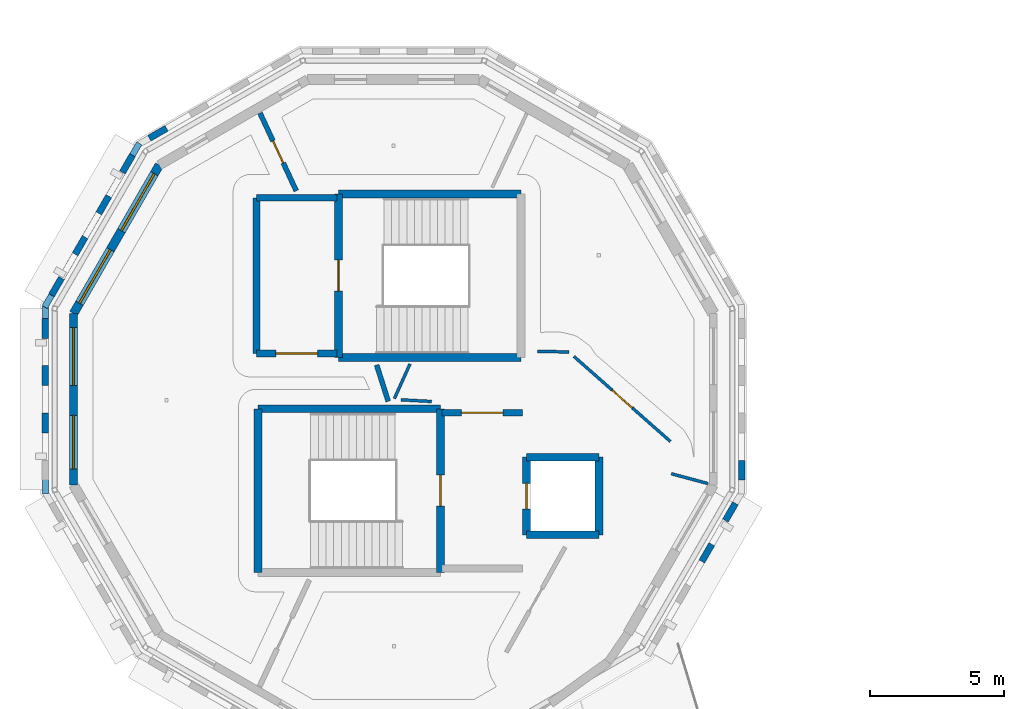
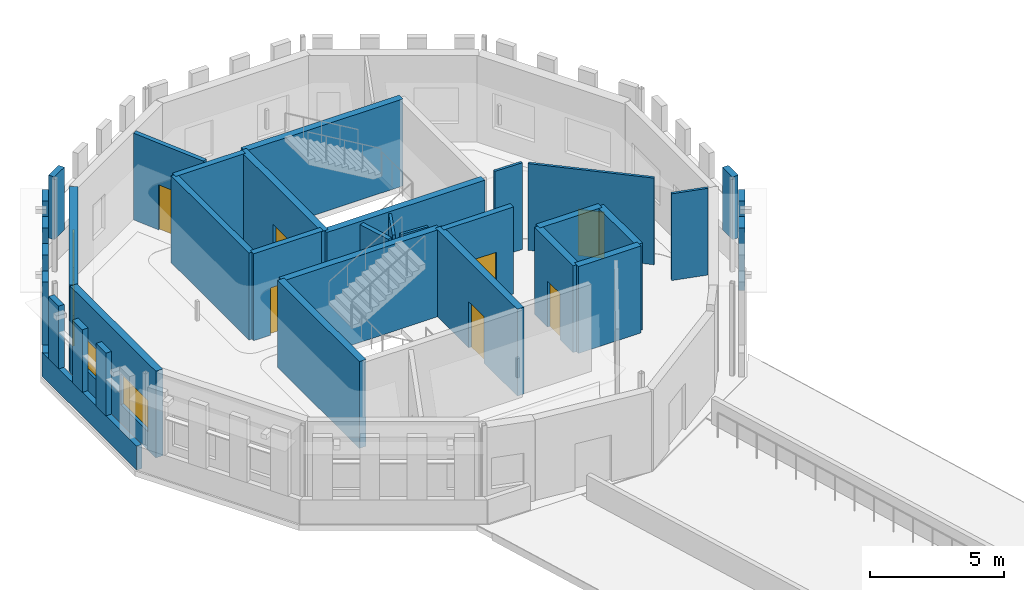
# One storey, part 39 of 68: 36 walls, 7 doors, 4 windows, 11 openings.
"""IFC4 building model written with IfcOpenShell, lengths in metres."""

from ifc_helpers import new_model, si_unit, direction, frame, frame_2d, origin, place, context, subcontext, project, spatial, rectangle, extrude, material, layer, layer_set, type_object, element, fill, save


model = new_model("IFC4")

# Units and contexts
model_context = context("Model", 3, precision=1e-05, world=origin(), true_north=direction((0.0, 1.0)))
body_context = subcontext(model_context, "Body", "Model", "MODEL_VIEW")
ifc_project = project(units=[si_unit("LENGTHUNIT", "METRE"), si_unit("AREAUNIT", "SQUARE_METRE"), si_unit("VOLUMEUNIT", "CUBIC_METRE"), si_unit("PLANEANGLEUNIT", "RADIAN"), si_unit("MASSUNIT", "GRAM", prefix="KILO")], contexts=[model_context])

# Site, building, storey
site_placement = place(None, origin())
site = spatial("IfcSite", under=ifc_project, at=site_placement, CompositionType="ELEMENT")
building_placement = place(site_placement, origin())
building = spatial("IfcBuilding", under=site, at=building_placement, Name="Wrenclough Park School", CompositionType="ELEMENT")
storey_placement = place(building_placement, frame((0.0, 0.0, 12.60009765625)))
storey = spatial("IfcBuildingStorey", under=building, at=storey_placement, Name="L03", CompositionType="ELEMENT", Elevation=12.60009765625)

# Walls
ifc_material_1 = material(Name="Perforated open-bond Staffordshire and Manchester brick screen pier", Category="masonry")
ifc_layer_1 = layer(ifc_material_1, 0.2451171875)
ifc_layer_set_1 = layer_set([ifc_layer_1], Name="Perforated open-bond Staffordshire and Manchester brick screen pier")
wall_type_1 = type_object("IfcWallType", Name="ENV-BS-PR245", PredefinedType="ELEMENTEDWALL", material=ifc_layer_set_1)
for number, where, z_axis, x_axis, name in (
    (1, (8.055419921875, 99.58544921875, 1.08984375), (0.0, 0.0, 1.0), (-0.866141586746, -0.499798711192, 0.0), "D3 L03 perforated brick screen pier 0774"),
    (2, (6.783935546875, 98.584716796875, 1.08984375), (0.0, 0.0, 1.0), (-0.499798711192, -0.866141586746, 0.0), "D3 L03 perforated brick screen pier 0775"),
    (3, (5.904052734375, 97.060302734375, 1.08984375), (0.0, 0.0, 1.0), (-0.500189527592, -0.865915952323, 0.0), "D3 L03 perforated brick screen pier 0776"),
):
    element("IfcWall", number, at=place(storey_placement, frame(where, z_axis=z_axis, x_axis=x_axis)), inside=storey, type_object=wall_type_1, Name=name, PredefinedType="ELEMENTEDWALL", context=body_context, shape_type="SweptSolid", body=[
        extrude(rectangle(XDim=0.739013671875, YDim=0.2451171875, at=frame_2d((0.36962890625, 0.0))), origin(), (0.0, 0.0, 1.0), 2.85009765625),
    ])
wall_1_placement = place(storey_placement, frame((5.02392578125, 95.5361328125, 1.08984375), z_axis=(0.0, 0.0, 1.0), x_axis=(-0.499941746681, -0.866059033742, 0.0)))
element("IfcWall", 4, at=wall_1_placement, inside=storey, type_object=wall_type_1, Name="D3 L03 perforated brick screen pier 0777", PredefinedType="ELEMENTEDWALL", context=body_context, shape_type="SweptSolid", body=[
    extrude(rectangle(XDim=0.73876953125, YDim=0.2451171875, at=frame_2d((0.369384765625, 0.0))), origin(), (0.0, 0.0, 1.0), 2.85009765625),
])
for number, where, z_axis, x_axis, name in (
    (5, (4.14404296875, 94.011962890625, 1.08984375), (0.0, 0.0, 1.0), (-0.500189527592, -0.865915952323, 0.0), "D3 L03 perforated brick screen pier 0778"),
    (6, (3.54345703125, 92.509521484375, 1.08984375), (0.0, 0.0, 1.0), (0.0, -1.0, 0.0), "D3 L03 perforated brick screen pier 0779"),
    (7, (3.54345703125, 90.74951171875, 1.08984375), (0.0, 0.0, 1.0), (0.0, -1.0, 0.0), "D3 L03 perforated brick screen pier 0780"),
    (8, (3.54345703125, 88.989501953125, 1.08984375), (0.0, 0.0, 1.0), (0.0, -1.0, 0.0), "D3 L03 perforated brick screen pier 0781"),
):
    element("IfcWall", number, at=place(storey_placement, frame(where, z_axis=z_axis, x_axis=x_axis)), inside=storey, type_object=wall_type_1, Name=name, PredefinedType="ELEMENTEDWALL", context=body_context, shape_type="SweptSolid", body=[
        extrude(rectangle(XDim=0.739013671875, YDim=0.2451171875, at=frame_2d((0.36962890625, 0.0))), origin(), (0.0, 0.0, 1.0), 2.85009765625),
    ])
wall_2_placement = place(storey_placement, frame((27.97607421875, 83.4638671875, 1.08984375), z_axis=(0.0, 0.0, 1.0), x_axis=(0.499941746681, 0.866059033742, 0.0)))
element("IfcWall", 9, at=wall_2_placement, inside=storey, type_object=wall_type_1, Name="D3 L03 perforated brick screen pier 0793", PredefinedType="ELEMENTEDWALL", context=body_context, shape_type="SweptSolid", body=[
    extrude(rectangle(XDim=0.73876953125, YDim=0.2451171875, at=frame_2d((0.369384765625, 0.0))), origin(), (0.0, 0.0, 1.0), 2.85009765625),
])
for number, where, z_axis, x_axis, name in (
    (10, (28.85595703125, 84.988037109375, 1.08984375), (0.0, 0.0, 1.0), (0.500189527592, 0.865915952323, 0.0), "D3 L03 perforated brick screen pier 0794"),
    (11, (29.45654296875, 86.490478515625, 1.08984375), (0.0, 0.0, 1.0), (0.0, 1.0, 0.0), "D3 L03 perforated brick screen pier 0795"),
):
    element("IfcWall", number, at=place(storey_placement, frame(where, z_axis=z_axis, x_axis=x_axis)), inside=storey, type_object=wall_type_1, Name=name, PredefinedType="ELEMENTEDWALL", context=body_context, shape_type="SweptSolid", body=[
        extrude(rectangle(XDim=0.739013671875, YDim=0.2451171875, at=frame_2d((0.36962890625, 0.0))), origin(), (0.0, 0.0, 1.0), 2.85009765625),
    ])
ifc_material_2 = material(Name="Open-bond Manchester multi-stock brick spandrel screen", Category="masonry")
ifc_layer_2 = layer(ifc_material_2, 0.22509765625)
ifc_layer_set_2 = layer_set([ifc_layer_2], Name="Open-bond Manchester multi-stock brick spandrel screen")
wall_type_2 = type_object("IfcWallType", Name="ENV-BS-SP225", PredefinedType="ELEMENTEDWALL", material=ifc_layer_set_2)
wall_3_placement = place(storey_placement, frame((7.039306640625, 99.026611328125, 0.0), z_axis=(0.0, 0.0, 1.0), x_axis=(-0.500010639957, -0.866019260715, 0.0)))
element("IfcWall", 12, at=wall_3_placement, inside=storey, type_object=wall_type_2, Name="D3 L03 open-bond brick screen spandrel 0207", PredefinedType="ELEMENTEDWALL", context=body_context, shape_type="SweptSolid", body=[
    extrude(rectangle(XDim=7.039794921875, YDim=0.22509765625, at=frame_2d((3.52001953125, 0.0))), origin(), (0.0, 0.0, 1.0), 1.08984375),
])
wall_4_placement = place(storey_placement, frame((3.54345703125, 93.02001953125, 0.0), z_axis=(0.0, 0.0, 1.0), x_axis=(0.0, -1.0, 0.0)))
element("IfcWall", 13, at=wall_4_placement, inside=storey, type_object=wall_type_2, Name="D3 L03 open-bond brick screen spandrel 0208", PredefinedType="ELEMENTEDWALL", context=body_context, shape_type="SweptSolid", body=[
    extrude(rectangle(XDim=7.0400390625, YDim=0.22509765625, at=frame_2d((3.52001953125, 0.0))), origin(), (0.0, 0.0, 1.0), 1.08984375),
])

# Wall, openings, windows
ifc_material_3 = material(Name="Manchester multi-stock brick and Concrete C32/40 inner leaf", Category="masonry")
ifc_layer_3 = layer(ifc_material_3, 0.300048828125)
ifc_layer_set_3 = layer_set([ifc_layer_3], Name="Manchester multi-stock brick and Concrete C32/40 inner leaf")
wall_type_3 = type_object("IfcWallType", Name="ENV-EW-300", PredefinedType="SOLIDWALL", material=ifc_layer_set_3)
wall_5_placement = place(storey_placement, frame((4.59423828125, 86.309814453125, 0.0), z_axis=(0.0, 0.0, 1.0), x_axis=(0.0, 1.0, 0.0)))
wall_5 = element("IfcWall", 14, at=wall_5_placement, inside=storey, type_object=wall_type_3, Name="L03 insulated brick external wall 0336", PredefinedType="SOLIDWALL", context=body_context, shape_type="SweptSolid", body=[
    extrude(rectangle(XDim=6.38037109375, YDim=0.300048828125, at=frame_2d((3.190185546875, 0.0))), origin(), (0.0, 0.0, 1.0), 3.93994140625),
])
opening_1_placement = place(wall_5_placement, frame((0.59521484375, 0.0, 0.85009765625)))
opening_1 = element("IfcOpeningElement", 15, at=opening_1_placement, cuts=wall_5, Name="Opening WN-09", PredefinedType="OPENING", context=body_context, shape_type="SweptSolid", body=[
    extrude(rectangle(XDim=2.0, YDim=1.39990234375, at=frame_2d((1.0, 0.699951171875))), frame((0.0, 0.159912109375, 0.0), z_axis=(0.0, -1.0, 0.0), x_axis=(1.0, 0.0, 0.0)), (0.0, 0.0, 1.0), 0.320068359375),
])
opening_2_placement = place(wall_5_placement, frame((3.710205078125, 0.0, 0.85009765625)))
opening_2 = element("IfcOpeningElement", 16, at=opening_2_placement, cuts=wall_5, Name="Opening WN-10", PredefinedType="OPENING", context=body_context, shape_type="SweptSolid", body=[
    extrude(rectangle(XDim=2.14990234375, YDim=1.39990234375, at=frame_2d((1.074951171875, 0.699951171875))), frame((0.0, 0.159912109375, 0.0), z_axis=(0.0, -1.0, 0.0), x_axis=(1.0, 0.0, 0.0)), (0.0, 0.0, 1.0), 0.320068359375),
])
ifc_material_4 = material(Name="Thermally broken aluminium and double-glazed low-e glass", Category="aluminium")
window_type_1 = type_object("IfcWindowType", Name="ENV-WN-09", PartitioningType="DOUBLE_PANEL_VERTICAL", PredefinedType="WINDOW", material=ifc_material_4)
window_1_placement = place(opening_1_placement, origin())
window_1 = element("IfcWindow", 17, at=window_1_placement, inside=storey, type_object=window_type_1, Name="L03 scheduled facade window 0568", OverallHeight=1.39990234375, OverallWidth=2.0, PartitioningType="SINGLE_PANEL", PredefinedType="WINDOW", context=body_context, shape_type="SweptSolid", body=[
    extrude(rectangle(XDim=2.0, YDim=1.39990234375, at=frame_2d((1.0, 0.699951171875))), frame((0.0, 0.030029296875, 0.0), z_axis=(0.0, -1.0, 0.0), x_axis=(1.0, 0.0, 0.0)), (0.0, 0.0, 1.0), 0.06005859375),
])
fill(opening_1, window_1)
window_type_2 = type_object("IfcWindowType", Name="ENV-WN-10", PartitioningType="DOUBLE_PANEL_VERTICAL", PredefinedType="WINDOW", material=ifc_material_4)
window_2_placement = place(opening_2_placement, origin())
window_2 = element("IfcWindow", 18, at=window_2_placement, inside=storey, type_object=window_type_2, Name="L03 scheduled facade window 0569", OverallHeight=1.39990234375, OverallWidth=2.14990234375, PartitioningType="SINGLE_PANEL", PredefinedType="WINDOW", context=body_context, shape_type="SweptSolid", body=[
    extrude(rectangle(XDim=2.14990234375, YDim=1.39990234375, at=frame_2d((1.074951171875, 0.699951171875))), frame((0.0, 0.030029296875, 0.0), z_axis=(0.0, -1.0, 0.0), x_axis=(1.0, 0.0, 0.0)), (0.0, 0.0, 1.0), 0.06005859375),
])
fill(opening_2, window_2)

ifc_layer_4 = layer(ifc_material_3, 0.324951171875)
ifc_layer_set_4 = layer_set([ifc_layer_4], Name="Manchester multi-stock brick and Concrete C32/40 inner leaf")
wall_type_4 = type_object("IfcWallType", Name="ENV-EW-325", PredefinedType="SOLIDWALL", material=ifc_layer_set_4)
wall_6_placement = place(storey_placement, frame((4.59423828125, 92.690185546875, 0.0), z_axis=(0.0, 0.0, 1.0), x_axis=(0.499966461314, 0.866044766488, 0.0)))
wall_6 = element("IfcWall", 19, at=wall_6_placement, inside=storey, type_object=wall_type_4, Name="L03 insulated brick external wall 0337", PredefinedType="SOLIDWALL", context=body_context, shape_type="SweptSolid", body=[
    extrude(rectangle(XDim=6.38037109375, YDim=0.324951171875, at=frame_2d((3.190185546875, 0.0))), origin(), (0.0, 0.0, 1.0), 3.93994140625),
])
opening_3_placement = place(wall_6_placement, frame((0.445068359375, 0.0, 0.85009765625)))
opening_3 = element("IfcOpeningElement", 20, at=opening_3_placement, cuts=wall_6, Name="Opening WN-11", PredefinedType="OPENING", context=body_context, shape_type="SweptSolid", body=[
    extrude(rectangle(XDim=2.300048828125, YDim=1.39990234375, at=frame_2d((1.14990234375, 0.699951171875))), frame((0.0, 0.17236328125, 0.0), z_axis=(0.0, -1.0, 0.0), x_axis=(1.0, 0.0, 0.0)), (0.0, 0.0, 1.0), 0.344970703125),
])
opening_4_placement = place(wall_6_placement, frame((3.560302734375, 0.0, 0.85009765625)))
opening_4 = element("IfcOpeningElement", 21, at=opening_4_placement, cuts=wall_6, Name="Opening WN-12", PredefinedType="OPENING", context=body_context, shape_type="SweptSolid", body=[
    extrude(rectangle(XDim=2.449951171875, YDim=1.39990234375, at=frame_2d((1.22509765625, 0.699951171875))), frame((0.0, 0.17236328125, 0.0), z_axis=(0.0, -1.0, 0.0), x_axis=(1.0, 0.0, 0.0)), (0.0, 0.0, 1.0), 0.344970703125),
])
window_type_3 = type_object("IfcWindowType", Name="ENV-WN-11", PartitioningType="DOUBLE_PANEL_VERTICAL", PredefinedType="WINDOW", material=ifc_material_4)
window_3_placement = place(opening_3_placement, origin())
window_3 = element("IfcWindow", 22, at=window_3_placement, inside=storey, type_object=window_type_3, Name="L03 scheduled facade window 0570", OverallHeight=1.39990234375, OverallWidth=2.300048828125, PartitioningType="SINGLE_PANEL", PredefinedType="WINDOW", context=body_context, shape_type="SweptSolid", body=[
    extrude(rectangle(XDim=2.300048828125, YDim=1.39990234375, at=frame_2d((1.14990234375, 0.699951171875))), frame((0.0, 0.030029296875, 0.0), z_axis=(0.0, -1.0, 0.0), x_axis=(1.0, 0.0, 0.0)), (0.0, 0.0, 1.0), 0.06005859375),
])
fill(opening_3, window_3)
window_type_4 = type_object("IfcWindowType", Name="ENV-WN-12", PartitioningType="DOUBLE_PANEL_VERTICAL", PredefinedType="WINDOW", material=ifc_material_4)
window_4_placement = place(opening_4_placement, origin())
window_4 = element("IfcWindow", 23, at=window_4_placement, inside=storey, type_object=window_type_4, Name="L03 scheduled facade window 0571", OverallHeight=1.39990234375, OverallWidth=2.449951171875, PartitioningType="SINGLE_PANEL", PredefinedType="WINDOW", context=body_context, shape_type="SweptSolid", body=[
    extrude(rectangle(XDim=2.449951171875, YDim=1.39990234375, at=frame_2d((1.22509765625, 0.699951171875))), frame((0.0, 0.030029296875, 0.0), z_axis=(0.0, -1.0, 0.0), x_axis=(1.0, 0.0, 0.0)), (0.0, 0.0, 1.0), 0.06005859375),
])
fill(opening_4, window_4)

# Wall, opening, door
ifc_material_5 = material(Name="Concrete C35/45", Category="concrete")
ifc_layer_5 = layer(ifc_material_5, 0.25)
ifc_layer_set_5 = layer_set([ifc_layer_5], Name="Concrete C35/45")
wall_type_5 = type_object("IfcWallType", Name="INT-CW-250", PredefinedType="SHEAR", material=ifc_layer_set_5)
wall_7_placement = place(storey_placement, frame((21.300048828125, 89.0, 0.0), z_axis=(0.0, 0.0, 1.0), x_axis=(-1.0, 0.0, 0.0)))
wall_7 = element("IfcWall", 24, at=wall_7_placement, inside=storey, type_object=wall_type_5, Name="Core C3 L03 lobby fire wall north", PredefinedType="SHEAR", context=body_context, shape_type="SweptSolid", body=[
    extrude(rectangle(XDim=3.0, YDim=0.25, at=frame_2d((1.5, 0.0))), origin(), (0.0, 0.0, 1.0), 3.949951171875),
])
opening_5_placement = place(wall_7_placement, frame((0.72509765625, 0.0, 0.0)))
opening_5 = element("IfcOpeningElement", 25, at=opening_5_placement, cuts=wall_7, Name="Opening DLB-C3-L03", PredefinedType="OPENING", context=body_context, shape_type="SweptSolid", body=[
    extrude(rectangle(XDim=1.550048828125, YDim=2.14990234375, at=frame_2d((0.77490234375, 1.074951171875))), frame((0.0, 0.135009765625, 0.0), z_axis=(0.0, -1.0, 0.0), x_axis=(1.0, 0.0, 0.0)), (0.0, 0.0, 1.0), 0.27001953125),
])
ifc_material_6 = material(Name="Protected stair lobby double fire door assembly", Category="wood")
door_type_1 = type_object("IfcDoorType", Name="INT-DR-LB155", OperationType="NOTDEFINED", PredefinedType="DOOR", material=ifc_material_6)
door_1_placement = place(opening_5_placement, origin())
door_1 = element("IfcDoor", 26, at=door_1_placement, inside=storey, type_object=door_type_1, Name="Core C3 L03 protected lobby fire door", OperationType="DOUBLE_DOOR_SINGLE_SWING", OverallHeight=2.14990234375, OverallWidth=1.550048828125, PredefinedType="DOOR", context=body_context, shape_type="SweptSolid", body=[
    extrude(rectangle(XDim=1.550048828125, YDim=2.14990234375, at=frame_2d((0.77490234375, 1.074951171875))), frame((0.0, 0.02490234375, 0.0), z_axis=(0.0, -1.0, 0.0), x_axis=(1.0, 0.0, 0.0)), (0.0, 0.0, 1.0), 0.050048828125),
])
fill(opening_5, door_1)

wall_8_placement = place(storey_placement, frame((11.39990234375, 91.199951171875, 0.0), z_axis=(0.0, 0.0, 1.0), x_axis=(1.0, 0.0, 0.0)))
wall_8 = element("IfcWall", 27, at=wall_8_placement, inside=storey, type_object=wall_type_5, Name="Core C3B L03 lobby fire wall south", PredefinedType="SHEAR", context=body_context, shape_type="SweptSolid", body=[
    extrude(rectangle(XDim=3.0, YDim=0.25, at=frame_2d((1.5, 0.0))), origin(), (0.0, 0.0, 1.0), 3.949951171875),
])
opening_6_placement = place(wall_8_placement, frame((0.72509765625, 0.0, 0.0)))
opening_6 = element("IfcOpeningElement", 28, at=opening_6_placement, cuts=wall_8, Name="Opening DLB-C3B-L03", PredefinedType="OPENING", context=body_context, shape_type="SweptSolid", body=[
    extrude(rectangle(XDim=1.550048828125, YDim=2.14990234375, at=frame_2d((0.77490234375, 1.074951171875))), frame((0.0, 0.135009765625, 0.0), z_axis=(0.0, -1.0, 0.0), x_axis=(1.0, 0.0, 0.0)), (0.0, 0.0, 1.0), 0.27001953125),
])
door_2_placement = place(opening_6_placement, origin())
door_2 = element("IfcDoor", 29, at=door_2_placement, inside=storey, type_object=door_type_1, Name="Core C3B L03 protected lobby fire door", OperationType="DOUBLE_DOOR_SINGLE_SWING", OverallHeight=2.14990234375, OverallWidth=1.550048828125, PredefinedType="DOOR", context=body_context, shape_type="SweptSolid", body=[
    extrude(rectangle(XDim=1.550048828125, YDim=2.14990234375, at=frame_2d((0.77490234375, 1.074951171875))), frame((0.0, 0.02490234375, 0.0), z_axis=(0.0, -1.0, 0.0), x_axis=(1.0, 0.0, 0.0)), (0.0, 0.0, 1.0), 0.050048828125),
])
fill(opening_6, door_2)

# Walls
wall_9_placement = place(storey_placement, frame((14.39990234375, 97.0, 0.0), z_axis=(0.0, 0.0, 1.0), x_axis=(-1.0, 0.0, 0.0)))
element("IfcWall", 30, at=wall_9_placement, inside=storey, type_object=wall_type_5, Name="Core C3B L03 lobby fire wall north", PredefinedType="SHEAR", context=body_context, shape_type="SweptSolid", body=[
    extrude(rectangle(XDim=3.0, YDim=0.25, at=frame_2d((1.5, 0.0))), origin(), (0.0, 0.0, 1.0), 3.949951171875),
])
wall_10_placement = place(storey_placement, frame((11.39990234375, 97.0, 0.0), z_axis=(0.0, 0.0, 1.0), x_axis=(0.0, -1.0, 0.0)))
element("IfcWall", 31, at=wall_10_placement, inside=storey, type_object=wall_type_5, Name="Core C3B L03 lobby fire wall west", PredefinedType="SHEAR", context=body_context, shape_type="SweptSolid", body=[
    extrude(rectangle(XDim=5.800048828125, YDim=0.25, at=frame_2d((2.89990234375, 0.0))), origin(), (0.0, 0.0, 1.0), 3.949951171875),
])

# Wall, opening, door
ifc_material_7 = material(Name="Concrete C40/50", Category="concrete")
ifc_layer_6 = layer(ifc_material_7, 0.2900390625)
ifc_layer_set_6 = layer_set([ifc_layer_6], Name="Concrete C40/50")
wall_type_6 = type_object("IfcWallType", Name="INT-CW-290", PredefinedType="SHEAR", material=ifc_layer_set_6)
wall_11_placement = place(storey_placement, frame((18.2451171875, 83.054931640625, 0.0), z_axis=(0.0, 0.0, 1.0), x_axis=(0.0, 1.0, 0.0)))
wall_11 = element("IfcWall", 32, at=wall_11_placement, inside=storey, type_object=wall_type_6, Name="Core C3 L03 east shear wall", PredefinedType="SHEAR", context=body_context, shape_type="SweptSolid", body=[
    extrude(rectangle(XDim=6.090087890625, YDim=0.2900390625, at=frame_2d((3.044921875, 0.0))), origin(), (0.0, 0.0, 1.0), 3.949951171875),
])
opening_7_placement = place(wall_11_placement, frame((2.469970703125, 0.0, 0.0)))
opening_7 = element("IfcOpeningElement", 33, at=opening_7_placement, cuts=wall_11, Name="Opening DST-C3-L03", PredefinedType="OPENING", context=body_context, shape_type="SweptSolid", body=[
    extrude(rectangle(XDim=1.14990234375, YDim=2.10009765625, at=frame_2d((0.574951171875, 1.050048828125))), frame((0.0, 0.155029296875, 0.0), z_axis=(0.0, -1.0, 0.0), x_axis=(1.0, 0.0, 0.0)), (0.0, 0.0, 1.0), 0.31005859375),
])
ifc_material_8 = material(Name="Protected escape stair single fire door assembly", Category="wood")
door_type_2 = type_object("IfcDoorType", Name="INT-DR-ST115", OperationType="NOTDEFINED", PredefinedType="DOOR", material=ifc_material_8)
door_3_placement = place(opening_7_placement, origin())
door_3 = element("IfcDoor", 34, at=door_3_placement, inside=storey, type_object=door_type_2, Name="Stair ST-03 L03 fire door", OperationType="SINGLE_SWING_RIGHT", OverallHeight=2.10009765625, OverallWidth=1.14990234375, PredefinedType="DOOR", context=body_context, shape_type="SweptSolid", body=[
    extrude(rectangle(XDim=1.14990234375, YDim=2.10009765625, at=frame_2d((0.574951171875, 1.050048828125))), frame((0.0, 0.02490234375, 0.0), z_axis=(0.0, -1.0, 0.0), x_axis=(1.0, 0.0, 0.0)), (0.0, 0.0, 1.0), 0.050048828125),
])
fill(opening_7, door_3)

# Walls
wall_12_placement = place(storey_placement, frame((18.2451171875, 89.14501953125, 0.0), z_axis=(0.0, 0.0, 1.0), x_axis=(-1.0, 0.0, 0.0)))
element("IfcWall", 35, at=wall_12_placement, inside=storey, type_object=wall_type_6, Name="Core C3 L03 north shear wall", PredefinedType="SHEAR", context=body_context, shape_type="SweptSolid", body=[
    extrude(rectangle(XDim=6.7900390625, YDim=0.2900390625, at=frame_2d((3.39501953125, 0.0))), origin(), (0.0, 0.0, 1.0), 3.949951171875),
])
wall_13_placement = place(storey_placement, frame((11.455078125, 89.14501953125, 0.0), z_axis=(0.0, 0.0, 1.0), x_axis=(0.0, -1.0, 0.0)))
element("IfcWall", 36, at=wall_13_placement, inside=storey, type_object=wall_type_6, Name="Core C3 L03 west shear wall", PredefinedType="SHEAR", context=body_context, shape_type="SweptSolid", body=[
    extrude(rectangle(XDim=6.090087890625, YDim=0.2900390625, at=frame_2d((3.044921875, 0.0))), origin(), (0.0, 0.0, 1.0), 3.949951171875),
])
wall_14_placement = place(storey_placement, frame((21.455078125, 84.455078125, 0.0), z_axis=(0.0, 0.0, 1.0), x_axis=(1.0, 0.0, 0.0)))
element("IfcWall", 37, at=wall_14_placement, inside=storey, type_object=wall_type_6, Name="Lift LFT-05 L03 south shaft wall", PredefinedType="SHEAR", context=body_context, shape_type="SweptSolid", body=[
    extrude(rectangle(XDim=2.68994140625, YDim=0.2900390625, at=frame_2d((1.344970703125, 0.0))), origin(), (0.0, 0.0, 1.0), 3.949951171875),
])
wall_15_placement = place(storey_placement, frame((24.14501953125, 84.455078125, 0.0), z_axis=(0.0, 0.0, 1.0), x_axis=(0.0, 1.0, 0.0)))
element("IfcWall", 38, at=wall_15_placement, inside=storey, type_object=wall_type_6, Name="Lift LFT-05 L03 east shaft wall", PredefinedType="SHEAR", context=body_context, shape_type="SweptSolid", body=[
    extrude(rectangle(XDim=2.889892578125, YDim=0.2900390625, at=frame_2d((1.44482421875, 0.0))), origin(), (0.0, 0.0, 1.0), 3.949951171875),
])
wall_16_placement = place(storey_placement, frame((24.14501953125, 87.344970703125, 0.0), z_axis=(0.0, 0.0, 1.0), x_axis=(-1.0, 0.0, 0.0)))
element("IfcWall", 39, at=wall_16_placement, inside=storey, type_object=wall_type_6, Name="Lift LFT-05 L03 north shaft wall", PredefinedType="SHEAR", context=body_context, shape_type="SweptSolid", body=[
    extrude(rectangle(XDim=2.68994140625, YDim=0.2900390625, at=frame_2d((1.344970703125, 0.0))), origin(), (0.0, 0.0, 1.0), 3.949951171875),
])

# Wall, opening, door
wall_17_placement = place(storey_placement, frame((21.455078125, 87.344970703125, 0.0), z_axis=(0.0, 0.0, 1.0), x_axis=(0.0, -1.0, 0.0)))
wall_17 = element("IfcWall", 40, at=wall_17_placement, inside=storey, type_object=wall_type_6, Name="Lift LFT-05 L03 west shaft wall", PredefinedType="SHEAR", context=body_context, shape_type="SweptSolid", body=[
    extrude(rectangle(XDim=2.889892578125, YDim=0.2900390625, at=frame_2d((1.44482421875, 0.0))), origin(), (0.0, 0.0, 1.0), 3.949951171875),
])
opening_8_placement = place(wall_17_placement, frame((0.969970703125, 0.0, 0.0)))
opening_8 = element("IfcOpeningElement", 41, at=opening_8_placement, cuts=wall_17, Name="Opening LD-05-L03", PredefinedType="OPENING", context=body_context, shape_type="SweptSolid", body=[
    extrude(rectangle(XDim=0.949951171875, YDim=2.10009765625, at=frame_2d((0.47509765625, 1.050048828125))), frame((0.0, 0.155029296875, 0.0), z_axis=(0.0, -1.0, 0.0), x_axis=(1.0, 0.0, 0.0)), (0.0, 0.0, 1.0), 0.31005859375),
])
ifc_material_9 = material(Name="Brushed stainless steel", Category="steel")
door_type_3 = type_object("IfcDoorType", Name="INT-DR-LD095", OperationType="NOTDEFINED", PredefinedType="DOOR", material=ifc_material_9)
door_4_placement = place(opening_8_placement, frame((0.949951171875, 0.0, 0.0), z_axis=(0.0, 0.0, 1.0), x_axis=(-1.0, 0.0, 0.0)))
door_4 = element("IfcDoor", 42, at=door_4_placement, inside=storey, type_object=door_type_3, Name="Lift LFT-05 L03 sliding landing door", OperationType="SLIDING_TO_LEFT", OverallHeight=2.10009765625, OverallWidth=0.949951171875, PredefinedType="DOOR", context=body_context, shape_type="SweptSolid", body=[
    extrude(rectangle(XDim=0.949951171875, YDim=2.10009765625, at=frame_2d((0.47509765625, 1.050048828125))), frame((0.0, 0.02490234375, 0.0), z_axis=(0.0, -1.0, 0.0), x_axis=(1.0, 0.0, 0.0)), (0.0, 0.0, 1.0), 0.050048828125),
])
fill(opening_8, door_4)

# Walls
for number, where, z_axis, x_axis, name in (
    (43, (14.455078125, 91.054931640625, 0.0), (0.0, 0.0, 1.0), (1.0, 0.0, 0.0), "Core C3B L03 south shear wall"),
    (44, (21.2451171875, 97.14501953125, 0.0), (0.0, 0.0, 1.0), (-1.0, 0.0, 0.0), "Core C3B L03 north shear wall"),
):
    element("IfcWall", number, at=place(storey_placement, frame(where, z_axis=z_axis, x_axis=x_axis)), inside=storey, type_object=wall_type_6, Name=name, PredefinedType="SHEAR", context=body_context, shape_type="SweptSolid", body=[
        extrude(rectangle(XDim=6.7900390625, YDim=0.2900390625, at=frame_2d((3.39501953125, 0.0))), origin(), (0.0, 0.0, 1.0), 3.949951171875),
    ])

# Wall, opening, door
wall_18_placement = place(storey_placement, frame((14.455078125, 97.14501953125, 0.0), z_axis=(0.0, 0.0, 1.0), x_axis=(0.0, -1.0, 0.0)))
wall_18 = element("IfcWall", 45, at=wall_18_placement, inside=storey, type_object=wall_type_6, Name="Core C3B L03 west shear wall", PredefinedType="SHEAR", context=body_context, shape_type="SweptSolid", body=[
    extrude(rectangle(XDim=6.090087890625, YDim=0.2900390625, at=frame_2d((3.044921875, 0.0))), origin(), (0.0, 0.0, 1.0), 3.949951171875),
])
opening_9_placement = place(wall_18_placement, frame((2.469970703125, 0.0, 0.0)))
opening_9 = element("IfcOpeningElement", 46, at=opening_9_placement, cuts=wall_18, Name="Opening DST-C3B-L03", PredefinedType="OPENING", context=body_context, shape_type="SweptSolid", body=[
    extrude(rectangle(XDim=1.14990234375, YDim=2.10009765625, at=frame_2d((0.574951171875, 1.050048828125))), frame((0.0, 0.155029296875, 0.0), z_axis=(0.0, -1.0, 0.0), x_axis=(1.0, 0.0, 0.0)), (0.0, 0.0, 1.0), 0.31005859375),
])
door_5_placement = place(opening_9_placement, origin())
door_5 = element("IfcDoor", 47, at=door_5_placement, inside=storey, type_object=door_type_2, Name="Stair ST-07 L03 fire door", OperationType="SINGLE_SWING_RIGHT", OverallHeight=2.10009765625, OverallWidth=1.14990234375, PredefinedType="DOOR", context=body_context, shape_type="SweptSolid", body=[
    extrude(rectangle(XDim=1.14990234375, YDim=2.10009765625, at=frame_2d((0.574951171875, 1.050048828125))), frame((0.0, 0.02490234375, 0.0), z_axis=(0.0, -1.0, 0.0), x_axis=(1.0, 0.0, 0.0)), (0.0, 0.0, 1.0), 0.050048828125),
])
fill(opening_9, door_5)

# Walls
ifc_material_10 = material(Name="Lightweight fire-rated store partition", Category="gypsum")
ifc_layer_7 = layer(ifc_material_10, 0.110107421875)
ifc_layer_set_7 = layer_set([ifc_layer_7], Name="Lightweight fire-rated store partition")
wall_type_7 = type_object("IfcWallType", Name="INT-PW-110", PredefinedType="PARTITIONING", material=ifc_layer_set_7)
wall_19_placement = place(storey_placement, frame((17.115478515625, 90.81494140625, 0.0), z_axis=(0.0, 0.0, 1.0), x_axis=(-0.411341379463, -0.911481359953, 0.0)))
element("IfcWall", 48, at=wall_19_placement, inside=storey, type_object=wall_type_7, Name="L03 internal partition 0466", PredefinedType="PARTITIONING", context=body_context, shape_type="SweptSolid", body=[
    extrude(rectangle(XDim=1.4130859375, YDim=0.110107421875, at=frame_2d((0.70654296875, 0.0))), origin(), (0.0, 0.0, 1.0), 3.93994140625),
])
wall_20_placement = place(storey_placement, frame((16.787109375, 89.47998046875, 0.0), z_axis=(0.0, 0.0, 1.0), x_axis=(0.998488626458, -0.054958737556, 0.0)))
element("IfcWall", 49, at=wall_20_placement, inside=storey, type_object=wall_type_7, Name="L03 internal partition 0467", PredefinedType="PARTITIONING", context=body_context, shape_type="SweptSolid", body=[
    extrude(rectangle(XDim=1.13720703125, YDim=0.110107421875, at=frame_2d((0.568603515625, 0.0))), origin(), (0.0, 0.0, 1.0), 3.93994140625),
])
wall_21_placement = place(storey_placement, frame((21.858642578125, 91.28369140625, 0.0), z_axis=(0.0, 0.0, 1.0), x_axis=(0.999803630326, -0.019816679508, 0.0)))
element("IfcWall", 50, at=wall_21_placement, inside=storey, type_object=wall_type_7, Name="L03 internal partition 0468", PredefinedType="PARTITIONING", context=body_context, shape_type="SweptSolid", body=[
    extrude(rectangle(XDim=1.17041015625, YDim=0.110107421875, at=frame_2d((0.585205078125, 0.0))), origin(), (0.0, 0.0, 1.0), 3.93994140625),
])

# Wall, opening, door
wall_22_placement = place(storey_placement, frame((23.21630859375, 91.09521484375, 0.0), z_axis=(0.0, 0.0, 1.0), x_axis=(0.750168084645, -0.661247188864, 0.0)))
wall_22 = element("IfcWall", 51, at=wall_22_placement, inside=storey, type_object=wall_type_7, Name="L03 internal partition 0469", PredefinedType="PARTITIONING", context=body_context, shape_type="SweptSolid", body=[
    extrude(rectangle(XDim=4.788330078125, YDim=0.110107421875, at=frame_2d((2.39404296875, 0.0))), origin(), (0.0, 0.0, 1.0), 3.93994140625),
])
opening_10_placement = place(wall_22_placement, frame((1.894287109375, 0.0, 0.0)))
opening_10 = element("IfcOpeningElement", 52, at=opening_10_placement, cuts=wall_22, Name="Opening DR-L03-093", PredefinedType="OPENING", context=body_context, shape_type="SweptSolid", body=[
    extrude(rectangle(XDim=1.0, YDim=2.10009765625, at=frame_2d((0.5, 1.050048828125))), frame((0.0, 0.06494140625, 0.0), z_axis=(0.0, -1.0, 0.0), x_axis=(1.0, 0.0, 0.0)), (0.0, 0.0, 1.0), 0.130126953125),
])
ifc_material_11 = material(Name="Humanities classroom vision door assembly", Category="wood")
door_type_4 = type_object("IfcDoorType", Name="INT-DR-CL100", OperationType="NOTDEFINED", PredefinedType="DOOR", material=ifc_material_11)
door_6_placement = place(opening_10_placement, origin())
door_6 = element("IfcDoor", 53, at=door_6_placement, inside=storey, type_object=door_type_4, Name="Computer Science Classroom door DR-L03-093", OperationType="SINGLE_SWING_RIGHT", OverallHeight=2.10009765625, OverallWidth=1.0, PredefinedType="DOOR", context=body_context, shape_type="SweptSolid", body=[
    extrude(rectangle(XDim=1.0, YDim=2.10009765625, at=frame_2d((0.5, 1.050048828125))), frame((0.0, 0.02490234375, 0.0), z_axis=(0.0, -1.0, 0.0), x_axis=(1.0, 0.0, 0.0)), (0.0, 0.0, 1.0), 0.050048828125),
])
fill(opening_10, door_6)

# Walls
wall_23_placement = place(storey_placement, frame((26.840576171875, 86.729248046875, 0.0), z_axis=(0.0, 0.0, 1.0), x_axis=(0.965928668743, -0.258808436689, 0.0)))
element("IfcWall", 54, at=wall_23_placement, inside=storey, type_object=wall_type_7, Name="L03 internal partition 0470", PredefinedType="PARTITIONING", context=body_context, shape_type="SweptSolid", body=[
    extrude(rectangle(XDim=1.405517578125, YDim=0.110107421875, at=frame_2d((0.70263671875, 0.0))), origin(), (0.0, 0.0, 1.0), 3.93994140625),
])
ifc_material_12 = material(Name="Laboratory fire and acoustic partition", Category="gypsum")
ifc_layer_8 = layer(ifc_material_12, 0.18505859375)
ifc_layer_set_8 = layer_set([ifc_layer_8], Name="Laboratory fire and acoustic partition")
wall_type_8 = type_object("IfcWallType", Name="INT-PW-185", PredefinedType="PARTITIONING", material=ifc_layer_set_8)
wall_24_placement = place(storey_placement, frame((16.304931640625, 89.422607421875, 0.0), z_axis=(0.0, 0.0, 1.0), x_axis=(-0.302905959506, 0.953020450828, 0.0)))
element("IfcWall", 55, at=wall_24_placement, inside=storey, type_object=wall_type_8, Name="L03 internal partition 0462", PredefinedType="PARTITIONING", context=body_context, shape_type="SweptSolid", body=[
    extrude(rectangle(XDim=1.421875, YDim=0.18505859375, at=frame_2d((0.7109375, 0.0))), origin(), (0.0, 0.0, 1.0), 3.93994140625),
])

# Wall, opening, door
wall_25_placement = place(storey_placement, frame((12.882568359375, 97.257568359375, 0.0), z_axis=(0.0, 0.0, 1.0), x_axis=(-0.422625770247, 0.906304285725, 0.0)))
wall_25 = element("IfcWall", 56, at=wall_25_placement, inside=storey, type_object=wall_type_8, Name="L03 internal partition 0463", PredefinedType="PARTITIONING", context=body_context, shape_type="SweptSolid", body=[
    extrude(rectangle(XDim=3.191162109375, YDim=0.18505859375, at=frame_2d((1.595703125, 0.0))), origin(), (0.0, 0.0, 1.0), 3.93994140625),
])
opening_11_placement = place(wall_25_placement, frame((1.1455078125, 0.0, 0.0)))
opening_11 = element("IfcOpeningElement", 57, at=opening_11_placement, cuts=wall_25, Name="Opening DR-L03-094", PredefinedType="OPENING", context=body_context, shape_type="SweptSolid", body=[
    extrude(rectangle(XDim=0.89990234375, YDim=2.050048828125, at=frame_2d((0.449951171875, 1.02490234375))), frame((0.0, 0.1025390625, 0.0), z_axis=(0.0, -1.0, 0.0), x_axis=(1.0, 0.0, 0.0)), (0.0, 0.0, 1.0), 0.205078125),
])
ifc_material_13 = material(Name="Staff office fire-rated timber door assembly", Category="wood")
door_type_5 = type_object("IfcDoorType", Name="INT-DR-OFF090", OperationType="NOTDEFINED", PredefinedType="DOOR", material=ifc_material_13)
door_7_placement = place(opening_11_placement, frame((0.89990234375, 0.0, 0.0), z_axis=(0.0, 0.0, 1.0), x_axis=(-1.0, 0.0, 0.0)))
door_7 = element("IfcDoor", 58, at=door_7_placement, inside=storey, type_object=door_type_5, Name="DT Staff Preparation Office door DR-L03-094", OperationType="SINGLE_SWING_LEFT", OverallHeight=2.050048828125, OverallWidth=0.89990234375, PredefinedType="DOOR", context=body_context, shape_type="SweptSolid", body=[
    extrude(rectangle(XDim=0.89990234375, YDim=2.050048828125, at=frame_2d((0.449951171875, 1.02490234375))), frame((0.0, 0.02490234375, 0.0), z_axis=(0.0, -1.0, 0.0), x_axis=(1.0, 0.0, 0.0)), (0.0, 0.0, 1.0), 0.050048828125),
])
fill(opening_11, door_7)

save(model, "model.ifc")
